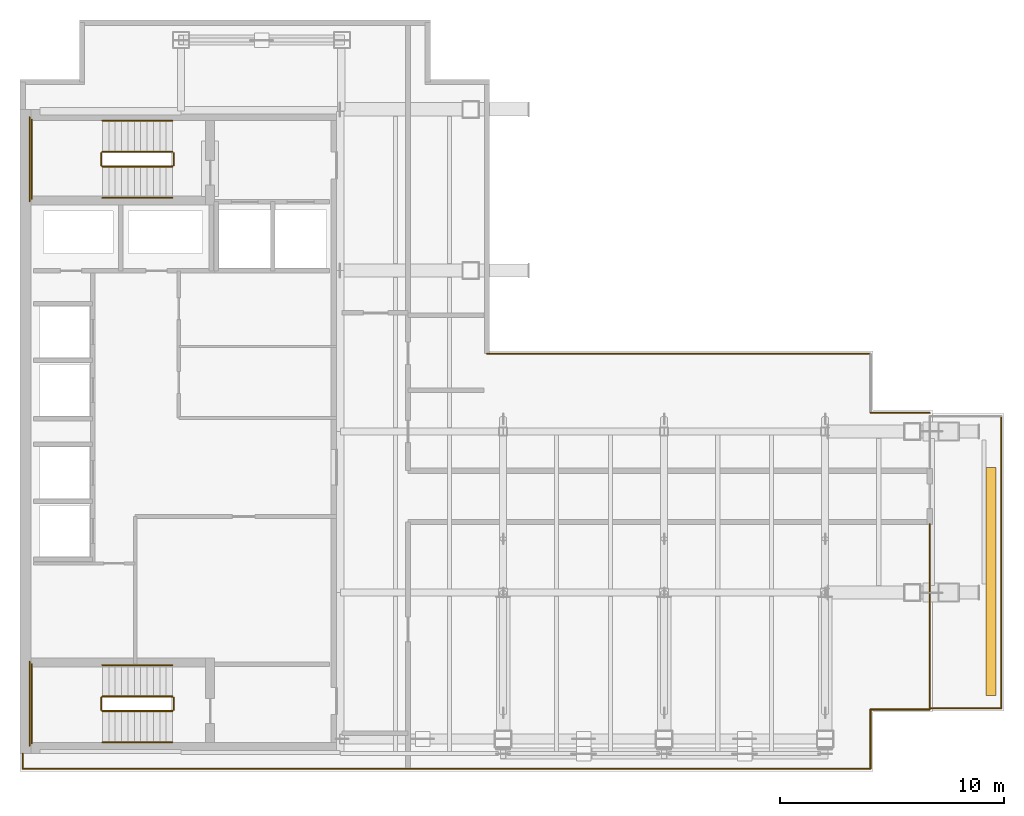
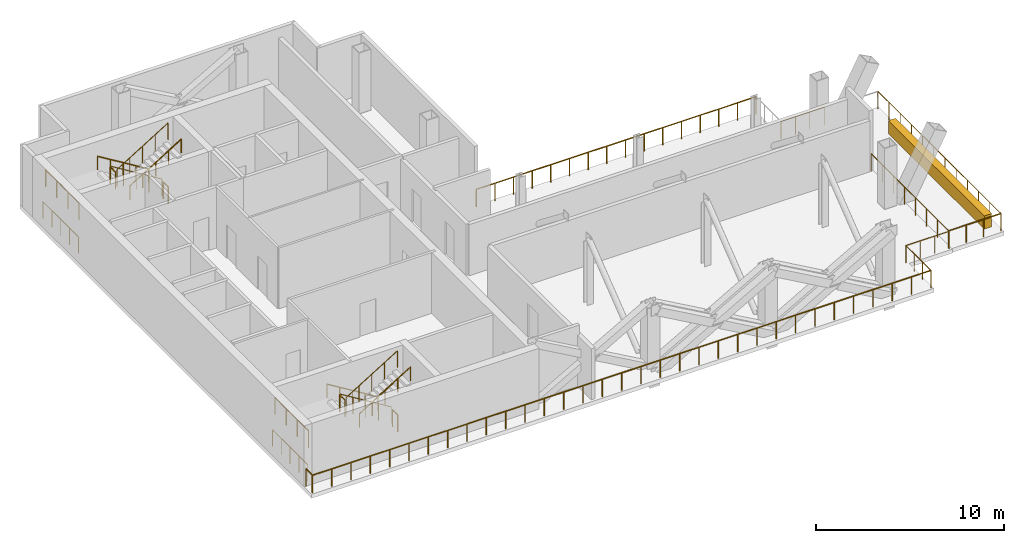
# One storey, part 5 of 6: 25 railings, 1 covering.
"""IFC4 building model written with IfcOpenShell, lengths in metres."""

from ifc_helpers import new_model, si_unit, direction, frame, origin, origin_2d, place, context, subcontext, project, spatial, polyline, circle, outline, extrude, material, layer, layer_set, type_object, element, save


model = new_model("IFC4")

# Units and contexts
model_context = context("Model", 3, precision=1e-05, world=origin(), true_north=direction((0.0, 1.0)))
body_context = subcontext(model_context, "Body", "Model", "MODEL_VIEW")
ifc_project = project(units=[si_unit("LENGTHUNIT", "METRE"), si_unit("AREAUNIT", "SQUARE_METRE"), si_unit("VOLUMEUNIT", "CUBIC_METRE"), si_unit("PLANEANGLEUNIT", "RADIAN"), si_unit("MASSUNIT", "GRAM", prefix="KILO")], contexts=[model_context])

# Site, building, storey
site_placement = place(None, origin())
site = spatial("IfcSite", under=ifc_project, at=site_placement, CompositionType="ELEMENT")
building_placement = place(site_placement, origin())
building = spatial("IfcBuilding", under=site, at=building_placement, Name="Cobrela Telecom Tower", CompositionType="ELEMENT")
storey_placement = place(building_placement, frame((0.0, 0.0, 232.75)))
storey = spatial("IfcBuildingStorey", under=building, at=storey_placement, Name="L60", CompositionType="ELEMENT", Elevation=232.75)

# Covering
ifc_material_1 = material(Name="Planted Vegetated Landscape Soil and Foliage System")
ifc_layer = layer(ifc_material_1, 0.85009765625)
ifc_layer_set = layer_set([ifc_layer], Name="Planted Vegetated Landscape Soil and Foliage System")
covering_type = type_object("IfcCoveringType", Name="PLANTER-BED-850", PredefinedType="USERDEFINED", material=ifc_layer_set)
covering_placement = place(storey_placement, origin())
element("IfcCovering", 1, at=covering_placement, inside=storey, type_object=covering_type, Name="L60 Sky Garden Planted Parapet Bed SG60-E", ObjectType="PLANTER", PredefinedType="USERDEFINED", context=body_context, shape_type="SweptSolid", body=[
    extrude(outline(polyline([(43.199951171875, 9.800048828125), (43.64990234375, 9.800048828125), (43.64990234375, 20.0), (43.199951171875, 20.0), (43.199951171875, 9.800048828125)])), origin(), (0.0, 0.0, 1.0), 0.85009765625),
])

# Railings
ifc_material_2 = material(Name="Anodized Bronze Aluminium 6063-T6", Category="aluminium")
railing_type_1 = type_object("IfcRailingType", Name="RAIL-BAL-1150", PredefinedType="BALUSTRADE", material=ifc_material_2)
railing_1_placement = place(storey_placement, frame((0.1201171875, 6.52001953125, 0.0)))
element("IfcRailing", 2, at=railing_1_placement, inside=storey, type_object=railing_type_1, Name="L60 Wind Turbine Slot Perimeter Balustrade 01", PredefinedType="BALUSTRADE", context=body_context, shape_type="SweptSolid", body=[
    extrude(circle(Radius=0.02392578125, at=origin_2d()), frame((0.0, 0.0, 1.1259765625), z_axis=(0.0, 1.0, 0.0), x_axis=(-1.0, 0.0, 0.0)), (0.0, 0.0, 1.0), 0.679931640625),
    extrude(circle(Radius=0.02099609375, at=origin_2d()), origin(), (0.0, 0.0, 1.0), 1.101806640625),
    extrude(circle(Radius=0.02099609375, at=origin_2d()), frame((0.0, 0.679931640625, 0.0)), (0.0, 0.0, 1.0), 1.101806640625),
])
railing_2_placement = place(storey_placement, frame((20.8798828125, 25.080078125, 0.0)))
element("IfcRailing", 3, at=railing_2_placement, inside=storey, type_object=railing_type_1, Name="L60 Wind Turbine Slot Perimeter Balustrade 09", PredefinedType="BALUSTRADE", context=body_context, shape_type="SweptSolid", body=[
    extrude(circle(Radius=0.02392578125, at=origin_2d()), frame((0.0, 0.0, 1.1259765625), z_axis=(1.0, 0.0, 0.0), x_axis=(0.0, 1.0, 0.0)), (0.0, 0.0, 1.0), 17.150146484375),
    extrude(circle(Radius=0.02099609375, at=origin_2d()), origin(), (0.0, 0.0, 1.0), 1.101806640625),
    extrude(circle(Radius=0.02099609375, at=origin_2d()), frame((1.143310546875, 0.0, 0.0)), (0.0, 0.0, 1.0), 1.101806640625),
    extrude(circle(Radius=0.02099609375, at=origin_2d()), frame((2.28662109375, 0.0, 0.0)), (0.0, 0.0, 1.0), 1.101806640625),
    extrude(circle(Radius=0.02099609375, at=origin_2d()), frame((3.429931640625, 0.0, 0.0)), (0.0, 0.0, 1.0), 1.101806640625),
    extrude(circle(Radius=0.02099609375, at=origin_2d()), frame((4.573486328125, 0.0, 0.0)), (0.0, 0.0, 1.0), 1.101806640625),
    extrude(circle(Radius=0.02099609375, at=origin_2d()), frame((5.716796875, 0.0, 0.0)), (0.0, 0.0, 1.0), 1.101806640625),
    extrude(circle(Radius=0.02099609375, at=origin_2d()), frame((6.860107421875, 0.0, 0.0)), (0.0, 0.0, 1.0), 1.101806640625),
    extrude(circle(Radius=0.02099609375, at=origin_2d()), frame((8.00341796875, 0.0, 0.0)), (0.0, 0.0, 1.0), 1.101806640625),
    extrude(circle(Radius=0.02099609375, at=origin_2d()), frame((9.146728515625, 0.0, 0.0)), (0.0, 0.0, 1.0), 1.101806640625),
    extrude(circle(Radius=0.02099609375, at=origin_2d()), frame((10.2900390625, 0.0, 0.0)), (0.0, 0.0, 1.0), 1.101806640625),
    extrude(circle(Radius=0.02099609375, at=origin_2d()), frame((11.433349609375, 0.0, 0.0)), (0.0, 0.0, 1.0), 1.101806640625),
    extrude(circle(Radius=0.02099609375, at=origin_2d()), frame((12.57666015625, 0.0, 0.0)), (0.0, 0.0, 1.0), 1.101806640625),
    extrude(circle(Radius=0.02099609375, at=origin_2d()), frame((13.72021484375, 0.0, 0.0)), (0.0, 0.0, 1.0), 1.101806640625),
    extrude(circle(Radius=0.02099609375, at=origin_2d()), frame((14.863525390625, 0.0, 0.0)), (0.0, 0.0, 1.0), 1.101806640625),
    extrude(circle(Radius=0.02099609375, at=origin_2d()), frame((16.0068359375, 0.0, 0.0)), (0.0, 0.0, 1.0), 1.101806640625),
    extrude(circle(Radius=0.02099609375, at=origin_2d()), frame((17.150146484375, 0.0, 0.0)), (0.0, 0.0, 1.0), 1.101806640625),
])
railing_3_placement = place(storey_placement, frame((38.030029296875, 22.429931640625, 0.0)))
element("IfcRailing", 4, at=railing_3_placement, inside=storey, type_object=railing_type_1, Name="L60 Wind Turbine Slot Perimeter Balustrade 11", PredefinedType="BALUSTRADE", context=body_context, shape_type="SweptSolid", body=[
    extrude(circle(Radius=0.02392578125, at=origin_2d()), frame((0.0, 0.0, 1.1259765625), z_axis=(1.0, 0.0, 0.0), x_axis=(0.0, 1.0, 0.0)), (0.0, 0.0, 1.0), 2.64990234375),
    extrude(circle(Radius=0.02099609375, at=origin_2d()), origin(), (0.0, 0.0, 1.0), 1.101806640625),
    extrude(circle(Radius=0.02099609375, at=origin_2d()), frame((0.88330078125, 0.0, 0.0)), (0.0, 0.0, 1.0), 1.101806640625),
    extrude(circle(Radius=0.02099609375, at=origin_2d()), frame((1.7666015625, 0.0, 0.0)), (0.0, 0.0, 1.0), 1.101806640625),
    extrude(circle(Radius=0.02099609375, at=origin_2d()), frame((2.64990234375, 0.0, 0.0)), (0.0, 0.0, 1.0), 1.101806640625),
])
railing_4_placement = place(storey_placement, frame((40.679931640625, 17.449951171875, 0.0)))
element("IfcRailing", 5, at=railing_4_placement, inside=storey, type_object=railing_type_1, Name="L60 Wind Turbine Slot Perimeter Balustrade 13", PredefinedType="BALUSTRADE", context=body_context, shape_type="SweptSolid", body=[
    extrude(circle(Radius=0.02392578125, at=origin_2d()), frame((0.0, 0.0, 1.1259765625), z_axis=(0.0, -1.0, 0.0), x_axis=(1.0, 0.0, 0.0)), (0.0, 0.0, 1.0), 8.22998046875),
    extrude(circle(Radius=0.02099609375, at=origin_2d()), origin(), (0.0, 0.0, 1.0), 1.101806640625),
    extrude(circle(Radius=0.02099609375, at=origin_2d()), frame((0.0, -1.17578125, 0.0)), (0.0, 0.0, 1.0), 1.101806640625),
    extrude(circle(Radius=0.02099609375, at=origin_2d()), frame((0.0, -2.351318359375, 0.0)), (0.0, 0.0, 1.0), 1.101806640625),
    extrude(circle(Radius=0.02099609375, at=origin_2d()), frame((0.0, -3.527099609375, 0.0)), (0.0, 0.0, 1.0), 1.101806640625),
    extrude(circle(Radius=0.02099609375, at=origin_2d()), frame((0.0, -4.702880859375, 0.0)), (0.0, 0.0, 1.0), 1.101806640625),
    extrude(circle(Radius=0.02099609375, at=origin_2d()), frame((0.0, -5.878662109375, 0.0)), (0.0, 0.0, 1.0), 1.101806640625),
    extrude(circle(Radius=0.02099609375, at=origin_2d()), frame((0.0, -7.05419921875, 0.0)), (0.0, 0.0, 1.0), 1.101806640625),
    extrude(circle(Radius=0.02099609375, at=origin_2d()), frame((0.0, -8.22998046875, 0.0)), (0.0, 0.0, 1.0), 1.101806640625),
])
railing_5_placement = place(storey_placement, frame((40.679931640625, 9.169921875, 0.0)))
element("IfcRailing", 6, at=railing_5_placement, inside=storey, type_object=railing_type_1, Name="L60 Wind Turbine Slot Perimeter Balustrade 14", PredefinedType="BALUSTRADE", context=body_context, shape_type="SweptSolid", body=[
    extrude(circle(Radius=0.02392578125, at=origin_2d()), frame((0.0, 0.0, 1.1259765625), z_axis=(-1.0, 0.0, 0.0), x_axis=(0.0, -1.0, 0.0)), (0.0, 0.0, 1.0), 2.64990234375),
    extrude(circle(Radius=0.02099609375, at=origin_2d()), origin(), (0.0, 0.0, 1.0), 1.101806640625),
    extrude(circle(Radius=0.02099609375, at=origin_2d()), frame((-0.88330078125, 0.0, 0.0)), (0.0, 0.0, 1.0), 1.101806640625),
    extrude(circle(Radius=0.02099609375, at=origin_2d()), frame((-1.7666015625, 0.0, 0.0)), (0.0, 0.0, 1.0), 1.101806640625),
    extrude(circle(Radius=0.02099609375, at=origin_2d()), frame((-2.64990234375, 0.0, 0.0)), (0.0, 0.0, 1.0), 1.101806640625),
])
railing_6_placement = place(storey_placement, frame((38.030029296875, 9.169921875, 0.0)))
element("IfcRailing", 7, at=railing_6_placement, inside=storey, type_object=railing_type_1, Name="L60 Wind Turbine Slot Perimeter Balustrade 15", PredefinedType="BALUSTRADE", context=body_context, shape_type="SweptSolid", body=[
    extrude(circle(Radius=0.02392578125, at=origin_2d()), frame((0.0, 0.0, 1.1259765625), z_axis=(0.0, -1.0, 0.0), x_axis=(1.0, 0.0, 0.0)), (0.0, 0.0, 1.0), 2.64990234375),
    extrude(circle(Radius=0.02099609375, at=origin_2d()), origin(), (0.0, 0.0, 1.0), 1.101806640625),
    extrude(circle(Radius=0.02099609375, at=origin_2d()), frame((0.0, -0.88330078125, 0.0)), (0.0, 0.0, 1.0), 1.101806640625),
    extrude(circle(Radius=0.02099609375, at=origin_2d()), frame((0.0, -1.7666015625, 0.0)), (0.0, 0.0, 1.0), 1.101806640625),
    extrude(circle(Radius=0.02099609375, at=origin_2d()), frame((0.0, -2.64990234375, 0.0)), (0.0, 0.0, 1.0), 1.101806640625),
])
railing_7_placement = place(storey_placement, frame((38.030029296875, 6.52001953125, 0.0)))
element("IfcRailing", 8, at=railing_7_placement, inside=storey, type_object=railing_type_1, Name="L60 Wind Turbine Slot Perimeter Balustrade 16", PredefinedType="BALUSTRADE", context=body_context, shape_type="SweptSolid", body=[
    extrude(circle(Radius=0.02392578125, at=origin_2d()), frame((0.0, 0.0, 1.1259765625), z_axis=(-1.0, 0.0, 0.0), x_axis=(0.0, -1.0, 0.0)), (0.0, 0.0, 1.0), 37.909912109375),
    extrude(circle(Radius=0.02099609375, at=origin_2d()), origin(), (0.0, 0.0, 1.0), 1.101806640625),
    extrude(circle(Radius=0.02099609375, at=origin_2d()), frame((-1.1845703125, 0.0, 0.0)), (0.0, 0.0, 1.0), 1.101806640625),
    extrude(circle(Radius=0.02099609375, at=origin_2d()), frame((-2.369384765625, 0.0, 0.0)), (0.0, 0.0, 1.0), 1.101806640625),
    extrude(circle(Radius=0.02099609375, at=origin_2d()), frame((-3.553955078125, 0.0, 0.0)), (0.0, 0.0, 1.0), 1.101806640625),
    extrude(circle(Radius=0.02099609375, at=origin_2d()), frame((-4.73876953125, 0.0, 0.0)), (0.0, 0.0, 1.0), 1.101806640625),
    extrude(circle(Radius=0.02099609375, at=origin_2d()), frame((-5.92333984375, 0.0, 0.0)), (0.0, 0.0, 1.0), 1.101806640625),
    extrude(circle(Radius=0.02099609375, at=origin_2d()), frame((-7.108154296875, 0.0, 0.0)), (0.0, 0.0, 1.0), 1.101806640625),
    extrude(circle(Radius=0.02099609375, at=origin_2d()), frame((-8.292724609375, 0.0, 0.0)), (0.0, 0.0, 1.0), 1.101806640625),
    extrude(circle(Radius=0.02099609375, at=origin_2d()), frame((-9.4775390625, 0.0, 0.0)), (0.0, 0.0, 1.0), 1.101806640625),
    extrude(circle(Radius=0.02099609375, at=origin_2d()), frame((-10.662109375, 0.0, 0.0)), (0.0, 0.0, 1.0), 1.101806640625),
    extrude(circle(Radius=0.02099609375, at=origin_2d()), frame((-11.846923828125, 0.0, 0.0)), (0.0, 0.0, 1.0), 1.101806640625),
    extrude(circle(Radius=0.02099609375, at=origin_2d()), frame((-13.031494140625, 0.0, 0.0)), (0.0, 0.0, 1.0), 1.101806640625),
    extrude(circle(Radius=0.02099609375, at=origin_2d()), frame((-14.21630859375, 0.0, 0.0)), (0.0, 0.0, 1.0), 1.101806640625),
    extrude(circle(Radius=0.02099609375, at=origin_2d()), frame((-15.40087890625, 0.0, 0.0)), (0.0, 0.0, 1.0), 1.101806640625),
    extrude(circle(Radius=0.02099609375, at=origin_2d()), frame((-16.585693359375, 0.0, 0.0)), (0.0, 0.0, 1.0), 1.101806640625),
    extrude(circle(Radius=0.02099609375, at=origin_2d()), frame((-17.770263671875, 0.0, 0.0)), (0.0, 0.0, 1.0), 1.101806640625),
    extrude(circle(Radius=0.02099609375, at=origin_2d()), frame((-18.955078125, 0.0, 0.0)), (0.0, 0.0, 1.0), 1.101806640625),
    extrude(circle(Radius=0.02099609375, at=origin_2d()), frame((-20.1396484375, 0.0, 0.0)), (0.0, 0.0, 1.0), 1.101806640625),
    extrude(circle(Radius=0.02099609375, at=origin_2d()), frame((-21.32421875, 0.0, 0.0)), (0.0, 0.0, 1.0), 1.101806640625),
    extrude(circle(Radius=0.02099609375, at=origin_2d()), frame((-22.509033203125, 0.0, 0.0)), (0.0, 0.0, 1.0), 1.101806640625),
    extrude(circle(Radius=0.02099609375, at=origin_2d()), frame((-23.693603515625, 0.0, 0.0)), (0.0, 0.0, 1.0), 1.101806640625),
    extrude(circle(Radius=0.02099609375, at=origin_2d()), frame((-24.87841796875, 0.0, 0.0)), (0.0, 0.0, 1.0), 1.101806640625),
    extrude(circle(Radius=0.02099609375, at=origin_2d()), frame((-26.06298828125, 0.0, 0.0)), (0.0, 0.0, 1.0), 1.101806640625),
    extrude(circle(Radius=0.02099609375, at=origin_2d()), frame((-27.247802734375, 0.0, 0.0)), (0.0, 0.0, 1.0), 1.101806640625),
    extrude(circle(Radius=0.02099609375, at=origin_2d()), frame((-28.432373046875, 0.0, 0.0)), (0.0, 0.0, 1.0), 1.101806640625),
    extrude(circle(Radius=0.02099609375, at=origin_2d()), frame((-29.6171875, 0.0, 0.0)), (0.0, 0.0, 1.0), 1.101806640625),
    extrude(circle(Radius=0.02099609375, at=origin_2d()), frame((-30.8017578125, 0.0, 0.0)), (0.0, 0.0, 1.0), 1.101806640625),
    extrude(circle(Radius=0.02099609375, at=origin_2d()), frame((-31.986572265625, 0.0, 0.0)), (0.0, 0.0, 1.0), 1.101806640625),
    extrude(circle(Radius=0.02099609375, at=origin_2d()), frame((-33.171142578125, 0.0, 0.0)), (0.0, 0.0, 1.0), 1.101806640625),
    extrude(circle(Radius=0.02099609375, at=origin_2d()), frame((-34.35595703125, 0.0, 0.0)), (0.0, 0.0, 1.0), 1.101806640625),
    extrude(circle(Radius=0.02099609375, at=origin_2d()), frame((-35.54052734375, 0.0, 0.0)), (0.0, 0.0, 1.0), 1.101806640625),
    extrude(circle(Radius=0.02099609375, at=origin_2d()), frame((-36.725341796875, 0.0, 0.0)), (0.0, 0.0, 1.0), 1.101806640625),
    extrude(circle(Radius=0.02099609375, at=origin_2d()), frame((-37.909912109375, 0.0, 0.0)), (0.0, 0.0, 1.0), 1.101806640625),
])
railing_8_placement = place(storey_placement, frame((40.679931640625, 9.219970703125, 0.0)))
element("IfcRailing", 9, at=railing_8_placement, inside=storey, type_object=railing_type_1, Name="L60 Outdoor Terrace Perimeter Balustrade Z4-S", PredefinedType="BALUSTRADE", context=body_context, shape_type="SweptSolid", body=[
    extrude(circle(Radius=0.02392578125, at=origin_2d()), frame((0.0, 0.0, 1.1259765625), z_axis=(1.0, 0.0, 0.0), x_axis=(0.0, 1.0, 0.0)), (0.0, 0.0, 1.0), 3.199951171875),
    extrude(circle(Radius=0.02099609375, at=origin_2d()), origin(), (0.0, 0.0, 1.0), 1.101806640625),
    extrude(circle(Radius=0.02099609375, at=origin_2d()), frame((1.066650390625, 0.0, 0.0)), (0.0, 0.0, 1.0), 1.101806640625),
    extrude(circle(Radius=0.02099609375, at=origin_2d()), frame((2.13330078125, 0.0, 0.0)), (0.0, 0.0, 1.0), 1.101806640625),
    extrude(circle(Radius=0.02099609375, at=origin_2d()), frame((3.199951171875, 0.0, 0.0)), (0.0, 0.0, 1.0), 1.101806640625),
])
railing_9_placement = place(storey_placement, frame((43.8798828125, 9.219970703125, 0.0)))
element("IfcRailing", 10, at=railing_9_placement, inside=storey, type_object=railing_type_1, Name="L60 Outdoor Terrace Perimeter Balustrade Z4-E", PredefinedType="BALUSTRADE", context=body_context, shape_type="SweptSolid", body=[
    extrude(circle(Radius=0.02392578125, at=origin_2d()), frame((0.0, 0.0, 1.1259765625), z_axis=(0.0, 1.0, 0.0), x_axis=(-1.0, 0.0, 0.0)), (0.0, 0.0, 1.0), 13.06005859375),
    extrude(circle(Radius=0.02099609375, at=origin_2d()), origin(), (0.0, 0.0, 1.0), 1.101806640625),
    extrude(circle(Radius=0.02099609375, at=origin_2d()), frame((0.0, 1.187255859375, 0.0)), (0.0, 0.0, 1.0), 1.101806640625),
    extrude(circle(Radius=0.02099609375, at=origin_2d()), frame((0.0, 2.37451171875, 0.0)), (0.0, 0.0, 1.0), 1.101806640625),
    extrude(circle(Radius=0.02099609375, at=origin_2d()), frame((0.0, 3.561767578125, 0.0)), (0.0, 0.0, 1.0), 1.101806640625),
    extrude(circle(Radius=0.02099609375, at=origin_2d()), frame((0.0, 4.7490234375, 0.0)), (0.0, 0.0, 1.0), 1.101806640625),
    extrude(circle(Radius=0.02099609375, at=origin_2d()), frame((0.0, 5.936279296875, 0.0)), (0.0, 0.0, 1.0), 1.101806640625),
    extrude(circle(Radius=0.02099609375, at=origin_2d()), frame((0.0, 7.123779296875, 0.0)), (0.0, 0.0, 1.0), 1.101806640625),
    extrude(circle(Radius=0.02099609375, at=origin_2d()), frame((0.0, 8.31103515625, 0.0)), (0.0, 0.0, 1.0), 1.101806640625),
    extrude(circle(Radius=0.02099609375, at=origin_2d()), frame((0.0, 9.498291015625, 0.0)), (0.0, 0.0, 1.0), 1.101806640625),
    extrude(circle(Radius=0.02099609375, at=origin_2d()), frame((0.0, 10.685546875, 0.0)), (0.0, 0.0, 1.0), 1.101806640625),
    extrude(circle(Radius=0.02099609375, at=origin_2d()), frame((0.0, 11.872802734375, 0.0)), (0.0, 0.0, 1.0), 1.101806640625),
    extrude(circle(Radius=0.02099609375, at=origin_2d()), frame((0.0, 13.06005859375, 0.0)), (0.0, 0.0, 1.0), 1.101806640625),
])
ifc_material_3 = material(Name="Steel ASTM A36", Category="steel")
railing_type_2 = type_object("IfcRailingType", Name="RAIL-GUARD-1100", PredefinedType="GUARDRAIL", material=ifc_material_3)
railing_10_placement = place(storey_placement, frame((6.820068359375, 34.10009765625, 0.175048828125)))
element("IfcRailing", 11, at=railing_10_placement, inside=storey, type_object=railing_type_2, Name="L60 ST1 stair guard 1", PredefinedType="GUARDRAIL", context=body_context, shape_type="SweptSolid", body=[
    extrude(circle(Radius=0.02392578125, at=origin_2d()), frame((0.0, 0.0, 1.076171875), z_axis=(-0.852166034122, 0.0, 0.523271488128), x_axis=(0.0, -1.0, 0.0)), (0.0, 0.0, 1.0), 3.678955078125),
    extrude(circle(Radius=0.02099609375, at=origin_2d()), origin(), (0.0, 0.0, 1.0), 1.052001953125),
    extrude(circle(Radius=0.02099609375, at=origin_2d()), frame((-0.78369140625, 0.0, 0.481201171875)), (0.0, 0.0, 1.0), 1.052001953125),
    extrude(circle(Radius=0.02099609375, at=origin_2d()), frame((-1.5673828125, 0.0, 0.96240234375)), (0.0, 0.0, 1.0), 1.052001953125),
    extrude(circle(Radius=0.02099609375, at=origin_2d()), frame((-2.351318359375, 0.0, 1.44384765625)), (0.0, 0.0, 1.0), 1.052001953125),
    extrude(circle(Radius=0.02099609375, at=origin_2d()), frame((-3.135009765625, 0.0, 1.925048828125)), (0.0, 0.0, 1.0), 1.052001953125),
])
railing_11_placement = place(storey_placement, frame((3.635009765625, 34.050048828125, 2.10009765625)))
element("IfcRailing", 12, at=railing_11_placement, inside=storey, type_object=railing_type_2, Name="L60 ST1 stair guard 2", PredefinedType="GUARDRAIL", context=body_context, shape_type="SweptSolid", body=[
    extrude(circle(Radius=0.02392578125, at=origin_2d()), frame((0.0, 0.0, 1.076171875), z_axis=(0.0, -1.0, 0.0), x_axis=(1.0, 0.0, 0.0)), (0.0, 0.0, 1.0), 0.550048828125),
    extrude(circle(Radius=0.02099609375, at=origin_2d()), origin(), (0.0, 0.0, 1.0), 1.052001953125),
    extrude(circle(Radius=0.02099609375, at=origin_2d()), frame((0.0, -0.550048828125, 0.0)), (0.0, 0.0, 1.0), 1.052001953125),
])
railing_12_placement = place(storey_placement, frame((0.530029296875, 35.550048828125, 2.10009765625)))
element("IfcRailing", 13, at=railing_12_placement, inside=storey, type_object=railing_type_2, Name="L60 ST1 stair guard 3", PredefinedType="GUARDRAIL", context=body_context, shape_type="SweptSolid", body=[
    extrude(circle(Radius=0.02392578125, at=origin_2d()), frame((0.0, 0.0, 1.076171875), z_axis=(0.0, -1.0, 0.0), x_axis=(1.0, 0.0, 0.0)), (0.0, 0.0, 1.0), 3.550048828125),
    extrude(circle(Radius=0.02099609375, at=origin_2d()), origin(), (0.0, 0.0, 1.0), 1.052001953125),
    extrude(circle(Radius=0.02099609375, at=origin_2d()), frame((0.0, -1.183349609375, 0.0)), (0.0, 0.0, 1.0), 1.052001953125),
    extrude(circle(Radius=0.02099609375, at=origin_2d()), frame((0.0, -2.36669921875, 0.0)), (0.0, 0.0, 1.0), 1.052001953125),
    extrude(circle(Radius=0.02099609375, at=origin_2d()), frame((0.0, -3.550048828125, 0.0)), (0.0, 0.0, 1.0), 1.052001953125),
])
railing_13_placement = place(storey_placement, frame((3.68505859375, 33.449951171875, 2.27490234375)))
element("IfcRailing", 14, at=railing_13_placement, inside=storey, type_object=railing_type_2, Name="L60 ST1 stair guard 4", PredefinedType="GUARDRAIL", context=body_context, shape_type="SweptSolid", body=[
    extrude(circle(Radius=0.02392578125, at=origin_2d()), frame((0.0, 0.0, 1.076171875), z_axis=(0.852166034122, 0.0, 0.523271488128), x_axis=(0.0, 1.0, 0.0)), (0.0, 0.0, 1.0), 3.678955078125),
    extrude(circle(Radius=0.02099609375, at=origin_2d()), origin(), (0.0, 0.0, 1.0), 1.052001953125),
    extrude(circle(Radius=0.02099609375, at=origin_2d()), frame((0.78369140625, 0.0, 0.481201171875)), (0.0, 0.0, 1.0), 1.052001953125),
    extrude(circle(Radius=0.02099609375, at=origin_2d()), frame((1.5673828125, 0.0, 0.96240234375)), (0.0, 0.0, 1.0), 1.052001953125),
    extrude(circle(Radius=0.02099609375, at=origin_2d()), frame((2.351318359375, 0.0, 1.44384765625)), (0.0, 0.0, 1.0), 1.052001953125),
    extrude(circle(Radius=0.02099609375, at=origin_2d()), frame((3.135009765625, 0.0, 1.925048828125)), (0.0, 0.0, 1.0), 1.052001953125),
])
railing_14_placement = place(storey_placement, frame((6.8701171875, 34.050048828125, 0.0)))
element("IfcRailing", 15, at=railing_14_placement, inside=storey, type_object=railing_type_2, Name="L60 ST1 stair guard 5", PredefinedType="GUARDRAIL", context=body_context, shape_type="SweptSolid", body=[
    extrude(circle(Radius=0.02392578125, at=origin_2d()), frame((0.0, 0.0, 1.076171875), z_axis=(0.0, -1.0, 0.0), x_axis=(1.0, 0.0, 0.0)), (0.0, 0.0, 1.0), 0.550048828125),
    extrude(circle(Radius=0.02099609375, at=origin_2d()), origin(), (0.0, 0.0, 1.0), 1.052001953125),
    extrude(circle(Radius=0.02099609375, at=origin_2d()), frame((0.0, -0.550048828125, 0.0)), (0.0, 0.0, 1.0), 1.052001953125),
])
railing_15_placement = place(storey_placement, frame((0.429931640625, 35.64990234375, 0.0)))
element("IfcRailing", 16, at=railing_15_placement, inside=storey, type_object=railing_type_2, Name="L60 ST1 stair guard 6", PredefinedType="GUARDRAIL", context=body_context, shape_type="SweptSolid", body=[
    extrude(circle(Radius=0.02392578125, at=origin_2d()), frame((0.0, 0.0, 1.076171875), z_axis=(0.0, -1.0, 0.0), x_axis=(1.0, 0.0, 0.0)), (0.0, 0.0, 1.0), 3.75),
    extrude(circle(Radius=0.02099609375, at=origin_2d()), origin(), (0.0, 0.0, 1.0), 1.052001953125),
    extrude(circle(Radius=0.02099609375, at=origin_2d()), frame((0.0, -0.9375, 0.0)), (0.0, 0.0, 1.0), 1.052001953125),
    extrude(circle(Radius=0.02099609375, at=origin_2d()), frame((0.0, -1.875, 0.0)), (0.0, 0.0, 1.0), 1.052001953125),
    extrude(circle(Radius=0.02099609375, at=origin_2d()), frame((0.0, -2.8125, 0.0)), (0.0, 0.0, 1.0), 1.052001953125),
    extrude(circle(Radius=0.02099609375, at=origin_2d()), frame((0.0, -3.75, 0.0)), (0.0, 0.0, 1.0), 1.052001953125),
])
railing_16_placement = place(storey_placement, frame((6.820068359375, 9.75, 0.175048828125)))
element("IfcRailing", 17, at=railing_16_placement, inside=storey, type_object=railing_type_2, Name="L60 ST2 stair guard 1", PredefinedType="GUARDRAIL", context=body_context, shape_type="SweptSolid", body=[
    extrude(circle(Radius=0.02392578125, at=origin_2d()), frame((0.0, 0.0, 1.076171875), z_axis=(-0.852166034122, 0.0, 0.523271488128), x_axis=(0.0, -1.0, 0.0)), (0.0, 0.0, 1.0), 3.678955078125),
    extrude(circle(Radius=0.02099609375, at=origin_2d()), origin(), (0.0, 0.0, 1.0), 1.052001953125),
    extrude(circle(Radius=0.02099609375, at=origin_2d()), frame((-0.78369140625, 0.0, 0.481201171875)), (0.0, 0.0, 1.0), 1.052001953125),
    extrude(circle(Radius=0.02099609375, at=origin_2d()), frame((-1.5673828125, 0.0, 0.96240234375)), (0.0, 0.0, 1.0), 1.052001953125),
    extrude(circle(Radius=0.02099609375, at=origin_2d()), frame((-2.351318359375, 0.0, 1.44384765625)), (0.0, 0.0, 1.0), 1.052001953125),
    extrude(circle(Radius=0.02099609375, at=origin_2d()), frame((-3.135009765625, 0.0, 1.925048828125)), (0.0, 0.0, 1.0), 1.052001953125),
])
railing_17_placement = place(storey_placement, frame((3.635009765625, 9.699951171875, 2.10009765625)))
element("IfcRailing", 18, at=railing_17_placement, inside=storey, type_object=railing_type_2, Name="L60 ST2 stair guard 2", PredefinedType="GUARDRAIL", context=body_context, shape_type="SweptSolid", body=[
    extrude(circle(Radius=0.02392578125, at=origin_2d()), frame((0.0, 0.0, 1.076171875), z_axis=(0.0, -1.0, 0.0), x_axis=(1.0, 0.0, 0.0)), (0.0, 0.0, 1.0), 0.550048828125),
    extrude(circle(Radius=0.02099609375, at=origin_2d()), origin(), (0.0, 0.0, 1.0), 1.052001953125),
    extrude(circle(Radius=0.02099609375, at=origin_2d()), frame((0.0, -0.550048828125, 0.0)), (0.0, 0.0, 1.0), 1.052001953125),
])
railing_18_placement = place(storey_placement, frame((0.530029296875, 11.199951171875, 2.10009765625)))
element("IfcRailing", 19, at=railing_18_placement, inside=storey, type_object=railing_type_2, Name="L60 ST2 stair guard 3", PredefinedType="GUARDRAIL", context=body_context, shape_type="SweptSolid", body=[
    extrude(circle(Radius=0.02392578125, at=origin_2d()), frame((0.0, 0.0, 1.076171875), z_axis=(0.0, -1.0, 0.0), x_axis=(1.0, 0.0, 0.0)), (0.0, 0.0, 1.0), 3.550048828125),
    extrude(circle(Radius=0.02099609375, at=origin_2d()), origin(), (0.0, 0.0, 1.0), 1.052001953125),
    extrude(circle(Radius=0.02099609375, at=origin_2d()), frame((0.0, -1.183349609375, 0.0)), (0.0, 0.0, 1.0), 1.052001953125),
    extrude(circle(Radius=0.02099609375, at=origin_2d()), frame((0.0, -2.36669921875, 0.0)), (0.0, 0.0, 1.0), 1.052001953125),
    extrude(circle(Radius=0.02099609375, at=origin_2d()), frame((0.0, -3.550048828125, 0.0)), (0.0, 0.0, 1.0), 1.052001953125),
])
railing_19_placement = place(storey_placement, frame((3.68505859375, 9.10009765625, 2.27490234375)))
element("IfcRailing", 20, at=railing_19_placement, inside=storey, type_object=railing_type_2, Name="L60 ST2 stair guard 4", PredefinedType="GUARDRAIL", context=body_context, shape_type="SweptSolid", body=[
    extrude(circle(Radius=0.02392578125, at=origin_2d()), frame((0.0, 0.0, 1.076171875), z_axis=(0.852166034122, 0.0, 0.523271488128), x_axis=(0.0, 1.0, 0.0)), (0.0, 0.0, 1.0), 3.678955078125),
    extrude(circle(Radius=0.02099609375, at=origin_2d()), origin(), (0.0, 0.0, 1.0), 1.052001953125),
    extrude(circle(Radius=0.02099609375, at=origin_2d()), frame((0.78369140625, 0.0, 0.481201171875)), (0.0, 0.0, 1.0), 1.052001953125),
    extrude(circle(Radius=0.02099609375, at=origin_2d()), frame((1.5673828125, 0.0, 0.96240234375)), (0.0, 0.0, 1.0), 1.052001953125),
    extrude(circle(Radius=0.02099609375, at=origin_2d()), frame((2.351318359375, 0.0, 1.44384765625)), (0.0, 0.0, 1.0), 1.052001953125),
    extrude(circle(Radius=0.02099609375, at=origin_2d()), frame((3.135009765625, 0.0, 1.925048828125)), (0.0, 0.0, 1.0), 1.052001953125),
])
railing_20_placement = place(storey_placement, frame((6.8701171875, 9.699951171875, 0.0)))
element("IfcRailing", 21, at=railing_20_placement, inside=storey, type_object=railing_type_2, Name="L60 ST2 stair guard 5", PredefinedType="GUARDRAIL", context=body_context, shape_type="SweptSolid", body=[
    extrude(circle(Radius=0.02392578125, at=origin_2d()), frame((0.0, 0.0, 1.076171875), z_axis=(0.0, -1.0, 0.0), x_axis=(1.0, 0.0, 0.0)), (0.0, 0.0, 1.0), 0.550048828125),
    extrude(circle(Radius=0.02099609375, at=origin_2d()), origin(), (0.0, 0.0, 1.0), 1.052001953125),
    extrude(circle(Radius=0.02099609375, at=origin_2d()), frame((0.0, -0.550048828125, 0.0)), (0.0, 0.0, 1.0), 1.052001953125),
])
railing_21_placement = place(storey_placement, frame((0.429931640625, 11.300048828125, 0.0)))
element("IfcRailing", 22, at=railing_21_placement, inside=storey, type_object=railing_type_2, Name="L60 ST2 stair guard 6", PredefinedType="GUARDRAIL", context=body_context, shape_type="SweptSolid", body=[
    extrude(circle(Radius=0.02392578125, at=origin_2d()), frame((0.0, 0.0, 1.076171875), z_axis=(0.0, -1.0, 0.0), x_axis=(1.0, 0.0, 0.0)), (0.0, 0.0, 1.0), 3.75),
    extrude(circle(Radius=0.02099609375, at=origin_2d()), origin(), (0.0, 0.0, 1.0), 1.052001953125),
    extrude(circle(Radius=0.02099609375, at=origin_2d()), frame((0.0, -0.9375, 0.0)), (0.0, 0.0, 1.0), 1.052001953125),
    extrude(circle(Radius=0.02099609375, at=origin_2d()), frame((0.0, -1.875, 0.0)), (0.0, 0.0, 1.0), 1.052001953125),
    extrude(circle(Radius=0.02099609375, at=origin_2d()), frame((0.0, -2.8125, 0.0)), (0.0, 0.0, 1.0), 1.052001953125),
    extrude(circle(Radius=0.02099609375, at=origin_2d()), frame((0.0, -3.75, 0.0)), (0.0, 0.0, 1.0), 1.052001953125),
])
railing_type_3 = type_object("IfcRailingType", Name="RAIL-HAND-920", PredefinedType="HANDRAIL", material=ifc_material_3)
railing_22_placement = place(storey_placement, frame((6.820068359375, 35.5, 0.175048828125)))
element("IfcRailing", 23, at=railing_22_placement, inside=storey, type_object=railing_type_3, Name="L60 ST1 stair handrail 1", PredefinedType="HANDRAIL", context=body_context, shape_type="SweptSolid", body=[
    extrude(circle(Radius=0.02392578125, at=origin_2d()), frame((0.0, 0.0, 0.8759765625), z_axis=(-0.852166034122, 0.0, 0.523271488128), x_axis=(0.0, -1.0, 0.0)), (0.0, 0.0, 1.0), 3.678955078125),
    extrude(circle(Radius=0.02099609375, at=origin_2d()), origin(), (0.0, 0.0, 1.0), 0.851806640625),
    extrude(circle(Radius=0.02099609375, at=origin_2d()), frame((-0.78369140625, 0.0, 0.481201171875)), (0.0, 0.0, 1.0), 0.851806640625),
    extrude(circle(Radius=0.02099609375, at=origin_2d()), frame((-1.5673828125, 0.0, 0.96240234375)), (0.0, 0.0, 1.0), 0.851806640625),
    extrude(circle(Radius=0.02099609375, at=origin_2d()), frame((-2.351318359375, 0.0, 1.44384765625)), (0.0, 0.0, 1.0), 0.851806640625),
    extrude(circle(Radius=0.02099609375, at=origin_2d()), frame((-3.135009765625, 0.0, 1.925048828125)), (0.0, 0.0, 1.0), 0.851806640625),
])
railing_23_placement = place(storey_placement, frame((3.68505859375, 32.050048828125, 2.27490234375)))
element("IfcRailing", 24, at=railing_23_placement, inside=storey, type_object=railing_type_3, Name="L60 ST1 stair handrail 2", PredefinedType="HANDRAIL", context=body_context, shape_type="SweptSolid", body=[
    extrude(circle(Radius=0.02392578125, at=origin_2d()), frame((0.0, 0.0, 0.8759765625), z_axis=(0.852166034122, 0.0, 0.523271488128), x_axis=(0.0, 1.0, 0.0)), (0.0, 0.0, 1.0), 3.678955078125),
    extrude(circle(Radius=0.02099609375, at=origin_2d()), origin(), (0.0, 0.0, 1.0), 0.851806640625),
    extrude(circle(Radius=0.02099609375, at=origin_2d()), frame((0.78369140625, 0.0, 0.481201171875)), (0.0, 0.0, 1.0), 0.851806640625),
    extrude(circle(Radius=0.02099609375, at=origin_2d()), frame((1.5673828125, 0.0, 0.96240234375)), (0.0, 0.0, 1.0), 0.851806640625),
    extrude(circle(Radius=0.02099609375, at=origin_2d()), frame((2.351318359375, 0.0, 1.44384765625)), (0.0, 0.0, 1.0), 0.851806640625),
    extrude(circle(Radius=0.02099609375, at=origin_2d()), frame((3.135009765625, 0.0, 1.925048828125)), (0.0, 0.0, 1.0), 0.851806640625),
])
railing_24_placement = place(storey_placement, frame((6.820068359375, 11.14990234375, 0.175048828125)))
element("IfcRailing", 25, at=railing_24_placement, inside=storey, type_object=railing_type_3, Name="L60 ST2 stair handrail 1", PredefinedType="HANDRAIL", context=body_context, shape_type="SweptSolid", body=[
    extrude(circle(Radius=0.02392578125, at=origin_2d()), frame((0.0, 0.0, 0.8759765625), z_axis=(-0.852166034122, 0.0, 0.523271488128), x_axis=(0.0, -1.0, 0.0)), (0.0, 0.0, 1.0), 3.678955078125),
    extrude(circle(Radius=0.02099609375, at=origin_2d()), origin(), (0.0, 0.0, 1.0), 0.851806640625),
    extrude(circle(Radius=0.02099609375, at=origin_2d()), frame((-0.78369140625, 0.0, 0.481201171875)), (0.0, 0.0, 1.0), 0.851806640625),
    extrude(circle(Radius=0.02099609375, at=origin_2d()), frame((-1.5673828125, 0.0, 0.96240234375)), (0.0, 0.0, 1.0), 0.851806640625),
    extrude(circle(Radius=0.02099609375, at=origin_2d()), frame((-2.351318359375, 0.0, 1.44384765625)), (0.0, 0.0, 1.0), 0.851806640625),
    extrude(circle(Radius=0.02099609375, at=origin_2d()), frame((-3.135009765625, 0.0, 1.925048828125)), (0.0, 0.0, 1.0), 0.851806640625),
])
railing_25_placement = place(storey_placement, frame((3.68505859375, 7.699951171875, 2.27490234375)))
element("IfcRailing", 26, at=railing_25_placement, inside=storey, type_object=railing_type_3, Name="L60 ST2 stair handrail 2", PredefinedType="HANDRAIL", context=body_context, shape_type="SweptSolid", body=[
    extrude(circle(Radius=0.02392578125, at=origin_2d()), frame((0.0, 0.0, 0.8759765625), z_axis=(0.852166034122, 0.0, 0.523271488128), x_axis=(0.0, 1.0, 0.0)), (0.0, 0.0, 1.0), 3.678955078125),
    extrude(circle(Radius=0.02099609375, at=origin_2d()), origin(), (0.0, 0.0, 1.0), 0.851806640625),
    extrude(circle(Radius=0.02099609375, at=origin_2d()), frame((0.78369140625, 0.0, 0.481201171875)), (0.0, 0.0, 1.0), 0.851806640625),
    extrude(circle(Radius=0.02099609375, at=origin_2d()), frame((1.5673828125, 0.0, 0.96240234375)), (0.0, 0.0, 1.0), 0.851806640625),
    extrude(circle(Radius=0.02099609375, at=origin_2d()), frame((2.351318359375, 0.0, 1.44384765625)), (0.0, 0.0, 1.0), 0.851806640625),
    extrude(circle(Radius=0.02099609375, at=origin_2d()), frame((3.135009765625, 0.0, 1.925048828125)), (0.0, 0.0, 1.0), 0.851806640625),
])

save(model, "model.ifc")
